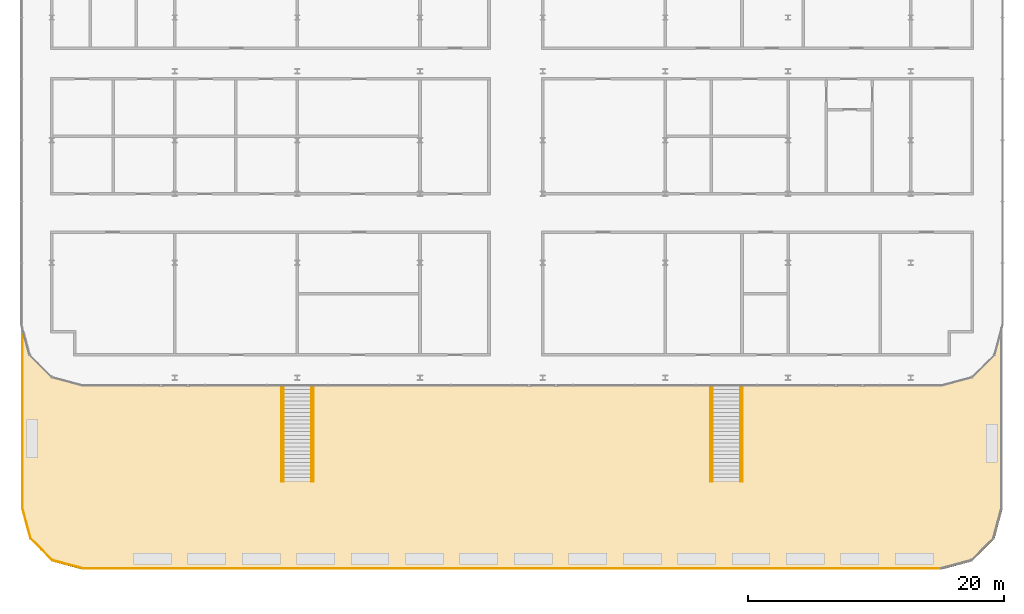
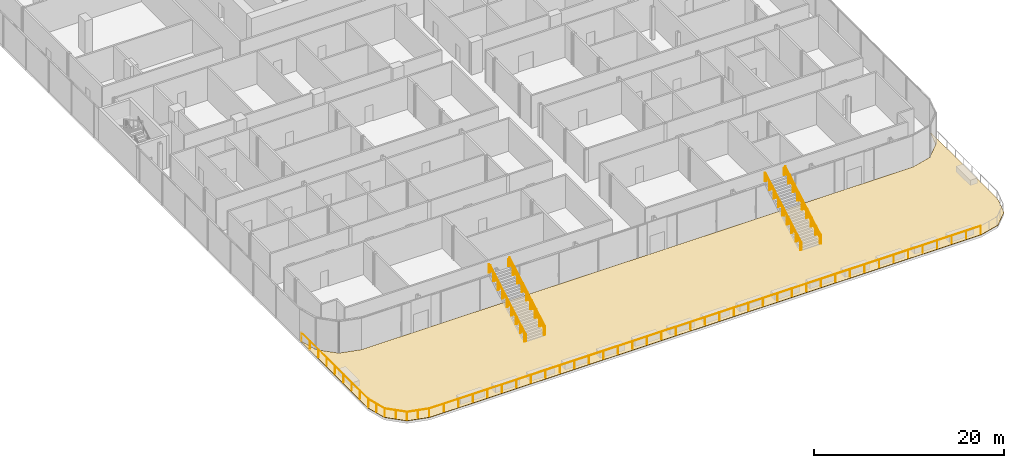
# One storey, part 39 of 45: 9 railings, 1 covering.
"""IFC4 building model written with IfcOpenShell, lengths in metres."""

from ifc_helpers import new_model, si_unit, direction, frame, origin, origin_2d, place, context, subcontext, project, spatial, polyline, circle, outline, extrude, material, layer, layer_set, type_object, element, save


model = new_model("IFC4")

# Units and contexts
model_context = context("Model", 3, precision=1e-05, world=origin(), true_north=direction((0.0, 1.0)))
body_context = subcontext(model_context, "Body", "Model", "MODEL_VIEW")
ifc_project = project(units=[si_unit("LENGTHUNIT", "METRE"), si_unit("AREAUNIT", "SQUARE_METRE"), si_unit("VOLUMEUNIT", "CUBIC_METRE"), si_unit("PLANEANGLEUNIT", "RADIAN"), si_unit("MASSUNIT", "GRAM", prefix="KILO")], contexts=[model_context])

# Site, building, storey
site_placement = place(None, origin())
site = spatial("IfcSite", under=ifc_project, at=site_placement, CompositionType="ELEMENT")
building_placement = place(site_placement, origin())
building = spatial("IfcBuilding", under=site, at=building_placement, Name="Madar Terraces", CompositionType="ELEMENT")
storey_placement = place(building_placement, frame((0.0, 0.0, 6.0)))
storey = spatial("IfcBuildingStorey", under=building, at=storey_placement, Name="L01", CompositionType="ELEMENT", Elevation=6.0)

# Railings
ifc_material_1 = material(Name="Glass, safety glazing, with stainless steel posts", Category="steel")
railing_type_1 = type_object("IfcRailingType", Name="Balcony glass guard 1100", PredefinedType="GUARDRAIL", material=ifc_material_1)
railing_placement = place(storey_placement, frame((-7.10009765625, -33.930908203125, 0.0400390625)))
element("IfcRailing", 1, at=railing_placement, inside=storey, type_object=railing_type_1, Name="Terrace guard", PredefinedType="GUARDRAIL", context=body_context, shape_type="SweptSolid", body=[
    extrude(circle(Radius=0.02392578125, at=origin_2d()), frame((0.0, 0.0, 1.076171875), z_axis=(0.0, -1.0, 0.0), x_axis=(1.0, 0.0, 0.0)), (0.0, 0.0, 1.0), 14.069091796875),
    extrude(circle(Radius=0.02392578125, at=origin_2d()), frame((0.0, -14.069091796875, 1.076171875), z_axis=(0.25888655274, -0.965907735144, 0.0), x_axis=(0.965907735144, 0.25888655274, 0.0)), (0.0, 0.0, 1.0), 2.43310546875),
    extrude(circle(Radius=0.02392578125, at=origin_2d()), frame((0.6298828125, -16.419189453125, 1.076171875), z_axis=(0.707106781187, -0.707106781187, 0.0), x_axis=(0.707106781187, 0.707106781187, 0.0)), (0.0, 0.0, 1.0), 2.432861328125),
    extrude(circle(Radius=0.02392578125, at=origin_2d()), frame((2.35009765625, -18.139404296875, 1.076171875), z_axis=(0.965932823238, -0.258792930722, 0.0), x_axis=(0.258792930722, 0.965932823238, 0.0)), (0.0, 0.0, 1.0), 2.432861328125),
    extrude(circle(Radius=0.02392578125, at=origin_2d()), frame((4.7001953125, -18.76904296875, 1.076171875), z_axis=(1.0, 0.0, 0.0), x_axis=(0.0, 1.0, 0.0)), (0.0, 0.0, 1.0), 67.199951171875),
    extrude(circle(Radius=0.02099609375, at=origin_2d()), origin(), (0.0, 0.0, 1.0), 1.052001953125),
    extrude(circle(Radius=0.02099609375, at=origin_2d()), frame((0.0, -1.758544921875, 0.0)), (0.0, 0.0, 1.0), 1.052001953125),
    extrude(circle(Radius=0.02099609375, at=origin_2d()), frame((0.0, -3.517333984375, 0.0)), (0.0, 0.0, 1.0), 1.052001953125),
    extrude(circle(Radius=0.02099609375, at=origin_2d()), frame((0.0, -5.27587890625, 0.0)), (0.0, 0.0, 1.0), 1.052001953125),
    extrude(circle(Radius=0.02099609375, at=origin_2d()), frame((0.0, -7.03466796875, 0.0)), (0.0, 0.0, 1.0), 1.052001953125),
    extrude(circle(Radius=0.02099609375, at=origin_2d()), frame((0.0, -8.793212890625, 0.0)), (0.0, 0.0, 1.0), 1.052001953125),
    extrude(circle(Radius=0.02099609375, at=origin_2d()), frame((0.0, -10.5517578125, 0.0)), (0.0, 0.0, 1.0), 1.052001953125),
    extrude(circle(Radius=0.02099609375, at=origin_2d()), frame((0.0, -12.310546875, 0.0)), (0.0, 0.0, 1.0), 1.052001953125),
    extrude(circle(Radius=0.02099609375, at=origin_2d()), frame((0.0, -14.069091796875, 0.0)), (0.0, 0.0, 1.0), 1.052001953125),
    extrude(circle(Radius=0.02099609375, at=origin_2d()), frame((0.31494140625, -15.244140625, 0.0)), (0.0, 0.0, 1.0), 1.052001953125),
    extrude(circle(Radius=0.02099609375, at=origin_2d()), frame((0.6298828125, -16.419189453125, 0.0)), (0.0, 0.0, 1.0), 1.052001953125),
    extrude(circle(Radius=0.02099609375, at=origin_2d()), frame((1.489990234375, -17.279296875, 0.0)), (0.0, 0.0, 1.0), 1.052001953125),
    extrude(circle(Radius=0.02099609375, at=origin_2d()), frame((2.35009765625, -18.139404296875, 0.0)), (0.0, 0.0, 1.0), 1.052001953125),
    extrude(circle(Radius=0.02099609375, at=origin_2d()), frame((3.525146484375, -18.4541015625, 0.0)), (0.0, 0.0, 1.0), 1.052001953125),
    extrude(circle(Radius=0.02099609375, at=origin_2d()), frame((4.7001953125, -18.76904296875, 0.0)), (0.0, 0.0, 1.0), 1.052001953125),
    extrude(circle(Radius=0.02099609375, at=origin_2d()), frame((6.468505859375, -18.76904296875, 0.0)), (0.0, 0.0, 1.0), 1.052001953125),
    extrude(circle(Radius=0.02099609375, at=origin_2d()), frame((8.237060546875, -18.76904296875, 0.0)), (0.0, 0.0, 1.0), 1.052001953125),
    extrude(circle(Radius=0.02099609375, at=origin_2d()), frame((10.00537109375, -18.76904296875, 0.0)), (0.0, 0.0, 1.0), 1.052001953125),
    extrude(circle(Radius=0.02099609375, at=origin_2d()), frame((11.77392578125, -18.76904296875, 0.0)), (0.0, 0.0, 1.0), 1.052001953125),
    extrude(circle(Radius=0.02099609375, at=origin_2d()), frame((13.542236328125, -18.76904296875, 0.0)), (0.0, 0.0, 1.0), 1.052001953125),
    extrude(circle(Radius=0.02099609375, at=origin_2d()), frame((15.310791015625, -18.76904296875, 0.0)), (0.0, 0.0, 1.0), 1.052001953125),
    extrude(circle(Radius=0.02099609375, at=origin_2d()), frame((17.0791015625, -18.76904296875, 0.0)), (0.0, 0.0, 1.0), 1.052001953125),
    extrude(circle(Radius=0.02099609375, at=origin_2d()), frame((18.84765625, -18.76904296875, 0.0)), (0.0, 0.0, 1.0), 1.052001953125),
    extrude(circle(Radius=0.02099609375, at=origin_2d()), frame((20.615966796875, -18.76904296875, 0.0)), (0.0, 0.0, 1.0), 1.052001953125),
    extrude(circle(Radius=0.02099609375, at=origin_2d()), frame((22.38427734375, -18.76904296875, 0.0)), (0.0, 0.0, 1.0), 1.052001953125),
    extrude(circle(Radius=0.02099609375, at=origin_2d()), frame((24.15283203125, -18.76904296875, 0.0)), (0.0, 0.0, 1.0), 1.052001953125),
    extrude(circle(Radius=0.02099609375, at=origin_2d()), frame((25.921142578125, -18.76904296875, 0.0)), (0.0, 0.0, 1.0), 1.052001953125),
    extrude(circle(Radius=0.02099609375, at=origin_2d()), frame((27.689697265625, -18.76904296875, 0.0)), (0.0, 0.0, 1.0), 1.052001953125),
    extrude(circle(Radius=0.02099609375, at=origin_2d()), frame((29.4580078125, -18.76904296875, 0.0)), (0.0, 0.0, 1.0), 1.052001953125),
    extrude(circle(Radius=0.02099609375, at=origin_2d()), frame((31.2265625, -18.76904296875, 0.0)), (0.0, 0.0, 1.0), 1.052001953125),
    extrude(circle(Radius=0.02099609375, at=origin_2d()), frame((32.994873046875, -18.76904296875, 0.0)), (0.0, 0.0, 1.0), 1.052001953125),
    extrude(circle(Radius=0.02099609375, at=origin_2d()), frame((34.763427734375, -18.76904296875, 0.0)), (0.0, 0.0, 1.0), 1.052001953125),
    extrude(circle(Radius=0.02099609375, at=origin_2d()), frame((36.53173828125, -18.76904296875, 0.0)), (0.0, 0.0, 1.0), 1.052001953125),
    extrude(circle(Radius=0.02099609375, at=origin_2d()), frame((38.30029296875, -18.76904296875, 0.0)), (0.0, 0.0, 1.0), 1.052001953125),
    extrude(circle(Radius=0.02099609375, at=origin_2d()), frame((40.068603515625, -18.76904296875, 0.0)), (0.0, 0.0, 1.0), 1.052001953125),
    extrude(circle(Radius=0.02099609375, at=origin_2d()), frame((41.8369140625, -18.76904296875, 0.0)), (0.0, 0.0, 1.0), 1.052001953125),
    extrude(circle(Radius=0.02099609375, at=origin_2d()), frame((43.60546875, -18.76904296875, 0.0)), (0.0, 0.0, 1.0), 1.052001953125),
    extrude(circle(Radius=0.02099609375, at=origin_2d()), frame((45.373779296875, -18.76904296875, 0.0)), (0.0, 0.0, 1.0), 1.052001953125),
    extrude(circle(Radius=0.02099609375, at=origin_2d()), frame((47.142333984375, -18.76904296875, 0.0)), (0.0, 0.0, 1.0), 1.052001953125),
    extrude(circle(Radius=0.02099609375, at=origin_2d()), frame((48.91064453125, -18.76904296875, 0.0)), (0.0, 0.0, 1.0), 1.052001953125),
    extrude(circle(Radius=0.02099609375, at=origin_2d()), frame((50.67919921875, -18.76904296875, 0.0)), (0.0, 0.0, 1.0), 1.052001953125),
    extrude(circle(Radius=0.02099609375, at=origin_2d()), frame((52.447509765625, -18.76904296875, 0.0)), (0.0, 0.0, 1.0), 1.052001953125),
    extrude(circle(Radius=0.02099609375, at=origin_2d()), frame((54.216064453125, -18.76904296875, 0.0)), (0.0, 0.0, 1.0), 1.052001953125),
    extrude(circle(Radius=0.02099609375, at=origin_2d()), frame((55.984375, -18.76904296875, 0.0)), (0.0, 0.0, 1.0), 1.052001953125),
    extrude(circle(Radius=0.02099609375, at=origin_2d()), frame((57.752685546875, -18.76904296875, 0.0)), (0.0, 0.0, 1.0), 1.052001953125),
    extrude(circle(Radius=0.02099609375, at=origin_2d()), frame((59.521240234375, -18.76904296875, 0.0)), (0.0, 0.0, 1.0), 1.052001953125),
    extrude(circle(Radius=0.02099609375, at=origin_2d()), frame((61.28955078125, -18.76904296875, 0.0)), (0.0, 0.0, 1.0), 1.052001953125),
    extrude(circle(Radius=0.02099609375, at=origin_2d()), frame((63.05810546875, -18.76904296875, 0.0)), (0.0, 0.0, 1.0), 1.052001953125),
    extrude(circle(Radius=0.02099609375, at=origin_2d()), frame((64.826416015625, -18.76904296875, 0.0)), (0.0, 0.0, 1.0), 1.052001953125),
    extrude(circle(Radius=0.02099609375, at=origin_2d()), frame((66.594970703125, -18.76904296875, 0.0)), (0.0, 0.0, 1.0), 1.052001953125),
    extrude(circle(Radius=0.02099609375, at=origin_2d()), frame((68.36328125, -18.76904296875, 0.0)), (0.0, 0.0, 1.0), 1.052001953125),
    extrude(circle(Radius=0.02099609375, at=origin_2d()), frame((70.1318359375, -18.76904296875, 0.0)), (0.0, 0.0, 1.0), 1.052001953125),
    extrude(circle(Radius=0.02099609375, at=origin_2d()), frame((71.900146484375, -18.76904296875, 0.0)), (0.0, 0.0, 1.0), 1.052001953125),
])
ifc_material_2 = material(Name="Glass, safety glazing, with stainless steel posts", Category="steel")
railing_type_2 = type_object("IfcRailingType", Name="Cascade stair guard 1100", PredefinedType="GUARDRAIL", material=ifc_material_2)
for number, where, name in (
    (2, (13.14990234375, -45.89990234375, 0.173095703125), "Cascade stair guard L02 1"),
    (3, (15.64990234375, -45.89990234375, 0.173095703125), "Cascade stair guard L02 1"),
    (4, (46.75, -45.89990234375, 0.173095703125), "Cascade stair guard L02 2"),
    (5, (49.25, -45.89990234375, 0.173095703125), "Cascade stair guard L02 2"),
):
    element("IfcRailing", number, at=place(storey_placement, frame(where)), inside=storey, type_object=railing_type_2, Name=name, PredefinedType="GUARDRAIL", context=body_context, shape_type="SweptSolid", body=[
        extrude(circle(Radius=0.02392578125, at=origin_2d()), frame((0.0, 0.0, 1.076171875), z_axis=(0.0, 0.866186524876, 0.499720826184), x_axis=(-1.0, 0.0, 0.0)), (0.0, 0.0, 1.0), 8.65869140625),
        extrude(circle(Radius=0.02099609375, at=origin_2d()), origin(), (0.0, 0.0, 1.0), 1.052001953125),
        extrude(circle(Radius=0.02099609375, at=origin_2d()), frame((0.0, 0.9375, 0.540771484375)), (0.0, 0.0, 1.0), 1.052001953125),
        extrude(circle(Radius=0.02099609375, at=origin_2d()), frame((0.0, 1.875, 1.081787109375)), (0.0, 0.0, 1.0), 1.052001953125),
        extrude(circle(Radius=0.02099609375, at=origin_2d()), frame((0.0, 2.8125, 1.62255859375)), (0.0, 0.0, 1.0), 1.052001953125),
        extrude(circle(Radius=0.02099609375, at=origin_2d()), frame((0.0, 3.75, 2.16357421875)), (0.0, 0.0, 1.0), 1.052001953125),
        extrude(circle(Radius=0.02099609375, at=origin_2d()), frame((0.0, 4.6875, 2.704345703125)), (0.0, 0.0, 1.0), 1.052001953125),
        extrude(circle(Radius=0.02099609375, at=origin_2d()), frame((0.0, 5.625, 3.2451171875)), (0.0, 0.0, 1.0), 1.052001953125),
        extrude(circle(Radius=0.02099609375, at=origin_2d()), frame((0.0, 6.5625, 3.7861328125)), (0.0, 0.0, 1.0), 1.052001953125),
        extrude(circle(Radius=0.02099609375, at=origin_2d()), frame((0.0, 7.5, 4.326904296875)), (0.0, 0.0, 1.0), 1.052001953125),
    ])
ifc_material_3 = material(Name="Stainless steel", Category="steel")
railing_type_3 = type_object("IfcRailingType", Name="Cascade stair handrail 920", PredefinedType="HANDRAIL", material=ifc_material_3)
for number, where, name in (
    (6, (13.300048828125, -45.89990234375, 0.173095703125), "Cascade stair handrail L02 1"),
    (7, (15.5, -45.89990234375, 0.173095703125), "Cascade stair handrail L02 1"),
    (8, (46.89990234375, -45.89990234375, 0.173095703125), "Cascade stair handrail L02 2"),
    (9, (49.10009765625, -45.89990234375, 0.173095703125), "Cascade stair handrail L02 2"),
):
    element("IfcRailing", number, at=place(storey_placement, frame(where)), inside=storey, type_object=railing_type_3, Name=name, PredefinedType="HANDRAIL", context=body_context, shape_type="SweptSolid", body=[
        extrude(circle(Radius=0.02392578125, at=origin_2d()), frame((0.0, 0.0, 0.89599609375), z_axis=(0.0, 0.866186524876, 0.499720826184), x_axis=(-1.0, 0.0, 0.0)), (0.0, 0.0, 1.0), 8.65869140625),
        extrude(circle(Radius=0.02099609375, at=origin_2d()), origin(), (0.0, 0.0, 1.0), 0.871826171875),
        extrude(circle(Radius=0.02099609375, at=origin_2d()), frame((0.0, 0.9375, 0.540771484375)), (0.0, 0.0, 1.0), 0.871826171875),
        extrude(circle(Radius=0.02099609375, at=origin_2d()), frame((0.0, 1.875, 1.081787109375)), (0.0, 0.0, 1.0), 0.871826171875),
        extrude(circle(Radius=0.02099609375, at=origin_2d()), frame((0.0, 2.8125, 1.62255859375)), (0.0, 0.0, 1.0), 0.871826171875),
        extrude(circle(Radius=0.02099609375, at=origin_2d()), frame((0.0, 3.75, 2.16357421875)), (0.0, 0.0, 1.0), 0.871826171875),
        extrude(circle(Radius=0.02099609375, at=origin_2d()), frame((0.0, 4.6875, 2.704345703125)), (0.0, 0.0, 1.0), 0.871826171875),
        extrude(circle(Radius=0.02099609375, at=origin_2d()), frame((0.0, 5.625, 3.2451171875)), (0.0, 0.0, 1.0), 0.871826171875),
        extrude(circle(Radius=0.02099609375, at=origin_2d()), frame((0.0, 6.5625, 3.7861328125)), (0.0, 0.0, 1.0), 0.871826171875),
        extrude(circle(Radius=0.02099609375, at=origin_2d()), frame((0.0, 7.5, 4.326904296875)), (0.0, 0.0, 1.0), 0.871826171875),
    ])

# Covering
ifc_material_4 = material(Name="Porcelain paving slabs on pedestals")
ifc_layer = layer(ifc_material_4, 0.0400390625)
ifc_layer_set = layer_set([ifc_layer], Name="Terrace paving 40")
covering_type = type_object("IfcCoveringType", Name="Terrace paving 40", PredefinedType="FLOORING", material=ifc_layer_set)
covering_placement = place(storey_placement, origin())
element("IfcCovering", 10, at=covering_placement, inside=storey, type_object=covering_type, Name="Terrace paving", PredefinedType="FLOORING", context=body_context, shape_type="SweptSolid", body=[
    extrude(outline(polyline([(-6.556884765625, -36.0), (-6.555908203125, -36.0009765625), (-4.80078125, -37.756103515625), (-4.800048828125, -37.7568359375), (-4.798583984375, -37.75732421875), (-2.401123046875, -38.399658203125), (-2.39990234375, -38.39990234375), (-2.39892578125, -38.39990234375), (64.798828125, -38.39990234375), (64.800048828125, -38.39990234375), (64.801025390625, -38.399658203125), (67.19873046875, -37.75732421875), (67.199951171875, -37.7568359375), (67.200927734375, -37.756103515625), (68.9560546875, -36.0009765625), (68.956787109375, -36.0), (68.957275390625, -35.998779296875), (69.501708984375, -33.966796875), (69.503173828125, -33.962158203125), (69.505126953125, -33.95751953125), (69.507568359375, -33.953125), (69.510498046875, -33.94921875), (69.513671875, -33.9453125), (69.517333984375, -33.94189453125), (69.521240234375, -33.93896484375), (69.525390625, -33.936279296875), (69.52978515625, -33.93408203125), (69.534423828125, -33.932373046875), (69.539306640625, -33.930908203125), (69.544189453125, -33.93017578125), (69.549072265625, -33.9296875), (69.55419921875, -33.929931640625), (69.55908203125, -33.9306640625), (69.563720703125, -33.931640625), (69.568603515625, -33.933349609375), (69.572998046875, -33.935302734375), (69.577392578125, -33.93798828125), (69.581298828125, -33.94091796875), (69.5849609375, -33.944091796875), (69.58837890625, -33.94775390625), (69.59130859375, -33.95166015625), (69.593994140625, -33.9560546875), (69.59619140625, -33.96044921875), (69.597900390625, -33.965087890625), (69.59912109375, -33.969970703125), (69.599853515625, -33.974853515625), (69.60009765625, -33.979736328125), (69.60009765625, -47.993408203125), (69.599853515625, -47.997802734375), (69.59912109375, -48.002197265625), (69.598388671875, -48.00634765625), (68.96044921875, -50.38720703125), (68.958740234375, -50.39208984375), (68.95654296875, -50.396728515625), (68.9541015625, -50.4013671875), (68.950927734375, -50.405517578125), (68.947509765625, -50.409423828125), (67.20947265625, -52.1474609375), (67.20556640625, -52.15087890625), (67.201416015625, -52.154052734375), (67.19677734375, -52.156494140625), (67.19189453125, -52.15869140625), (67.18701171875, -52.160400390625), (64.806396484375, -52.79833984375), (64.802001953125, -52.79931640625), (64.7978515625, -52.7998046875), (64.79345703125, -52.800048828125), (-2.393310546875, -52.800048828125), (-2.397705078125, -52.7998046875), (-2.402099609375, -52.79931640625), (-2.406494140625, -52.79833984375), (-4.787109375, -52.160400390625), (-4.7919921875, -52.15869140625), (-4.796875, -52.156494140625), (-4.801513671875, -52.154052734375), (-4.8056640625, -52.15087890625), (-4.8095703125, -52.1474609375), (-6.54736328125, -50.409423828125), (-6.551025390625, -50.405517578125), (-6.553955078125, -50.4013671875), (-6.556640625, -50.396728515625), (-6.558837890625, -50.39208984375), (-6.560302734375, -50.38720703125), (-7.1982421875, -48.00634765625), (-7.19921875, -48.002197265625), (-7.19970703125, -47.997802734375), (-7.199951171875, -47.993408203125), (-7.199951171875, -33.979736328125), (-7.19970703125, -33.974853515625), (-7.198974609375, -33.969970703125), (-7.19775390625, -33.965087890625), (-7.196044921875, -33.96044921875), (-7.194091796875, -33.9560546875), (-7.19140625, -33.95166015625), (-7.1884765625, -33.94775390625), (-7.18505859375, -33.944091796875), (-7.181396484375, -33.94091796875), (-7.17724609375, -33.93798828125), (-7.173095703125, -33.935302734375), (-7.16845703125, -33.933349609375), (-7.163818359375, -33.931640625), (-7.158935546875, -33.9306640625), (-7.154052734375, -33.929931640625), (-7.149169921875, -33.9296875), (-7.14404296875, -33.93017578125), (-7.139404296875, -33.930908203125), (-7.134521484375, -33.932373046875), (-7.1298828125, -33.93408203125), (-7.12548828125, -33.936279296875), (-7.12109375, -33.93896484375), (-7.1171875, -33.94189453125), (-7.11376953125, -33.9453125), (-7.110595703125, -33.94921875), (-7.107666015625, -33.953125), (-7.105224609375, -33.95751953125), (-7.103271484375, -33.962158203125), (-7.101806640625, -33.966796875), (-6.557373046875, -35.998779296875), (-6.556884765625, -36.0)])), origin(), (0.0, 0.0, 1.0), 0.0400390625),
])

save(model, "model.ifc")
